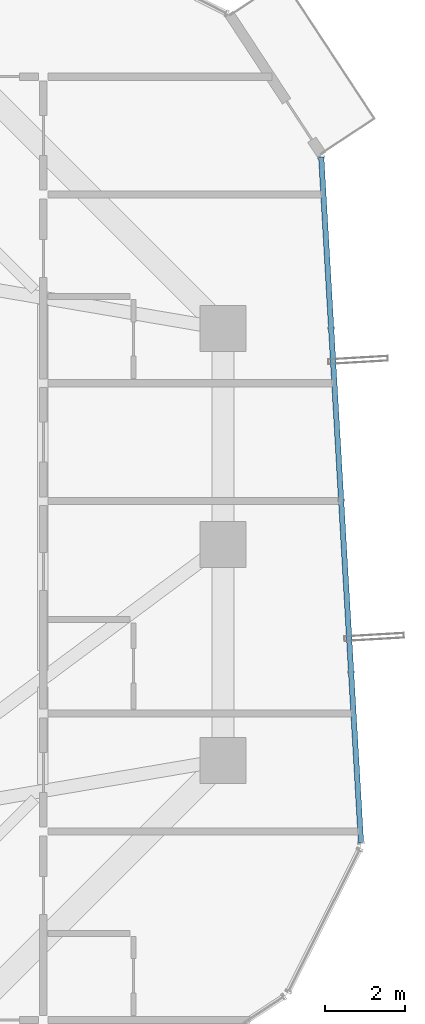
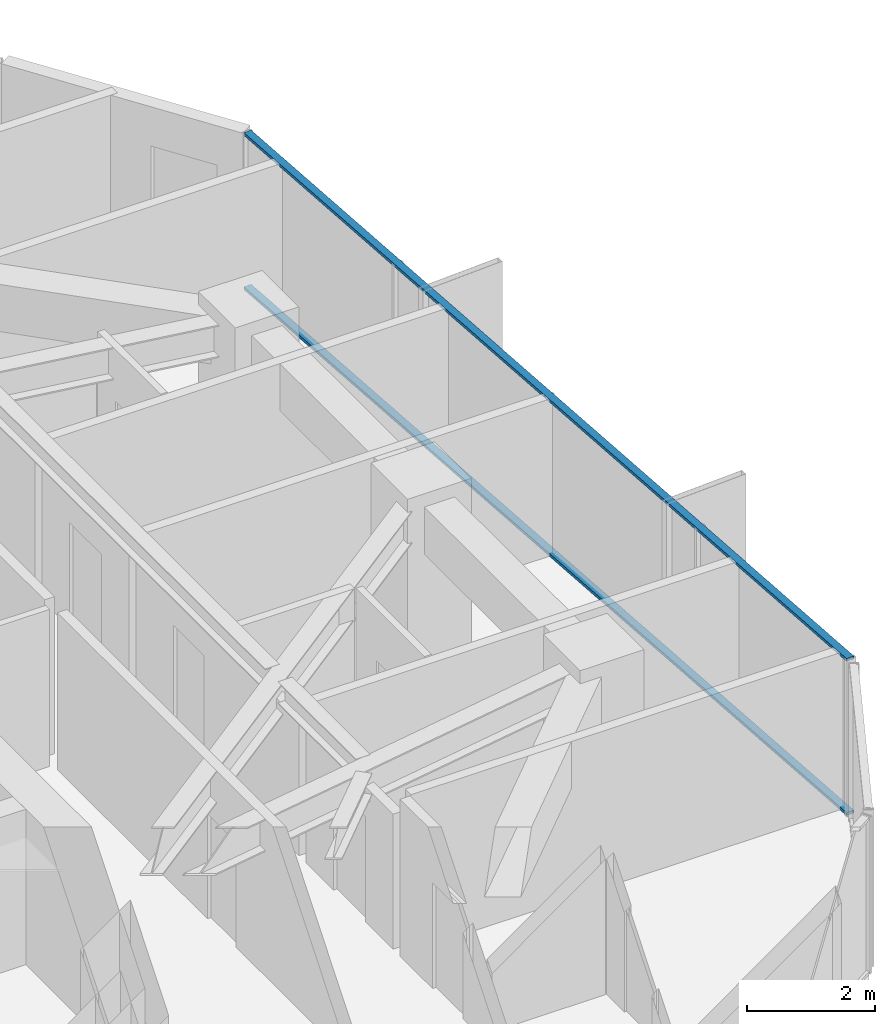
# One storey, part 16 of 33: 2 members, 1 element without a shape of its own.
"""IFC4 building model written with IfcOpenShell, lengths in metres."""

import ifcopenshell
import ifcopenshell.guid

model = None  # the IFC model being written
_history = None  # IfcOwnerHistory: only IFC2X3 demands one
_inside = {}  # id of a spatial element -> (the spatial element, [elements in it])
_under = {}  # id of a project, library or spatial element -> (it, [spatial elements below it])
_declared = {}  # id of a project -> (the project, [libraries it declares])
_typed = {}  # id of a type object -> (the type object, [elements of that type])
_made_of = {}  # id of a material, layer set ... -> (it, [elements and type objects made of it])


def new_model(schema):
    """Start an empty IFC model of exactly this schema.

    Asked for "IFC4X3", IfcOpenShell would pick the latest addendum, in which some entities
    have other attributes; the version numbers below select the first issue.
    IFC2X3 requires an IfcOwnerHistory on every rooted entity: one is made here for all.
    """
    global model, _history
    if schema == "IFC4X3":
        model = ifcopenshell.file(schema_version=(4, 3, 0, 0))
    else:
        model = ifcopenshell.file(schema=schema)
    _inside.clear()
    _under.clear()
    _declared.clear()
    _typed.clear()
    _made_of.clear()
    _history = None
    if model.schema == "IFC2X3":
        org = make("IfcOrganization", Name="unknown")
        user = make(
            "IfcPersonAndOrganization",
            ThePerson=make("IfcPerson", FamilyName="unknown"),
            TheOrganization=org,
        )
        app = make(
            "IfcApplication",
            ApplicationDeveloper=org,
            Version="unknown",
            ApplicationFullName="unknown",
            ApplicationIdentifier="unknown",
        )
        _history = make(
            "IfcOwnerHistory",
            OwningUser=user,
            OwningApplication=app,
            ChangeAction="ADDED",
            CreationDate=0,
        )
    return model


def make(cls, **values):
    """One entity of the class cls with the attributes given. An attribute that is None is left unset."""
    return model.create_entity(
        cls, **{name: value for name, value in values.items() if value is not None}
    )


def rooted(cls, **values):
    """An entity with a GlobalId (a new one), such as an element, a storey or a relation."""
    return make(cls, GlobalId=ifcopenshell.guid.new(), OwnerHistory=_history, **values)


def si_unit(unit_type, name, prefix=None):
    """IfcSIUnit, for example si_unit("LENGTHUNIT", "METRE", prefix="MILLI")."""
    return make("IfcSIUnit", UnitType=unit_type, Prefix=prefix, Name=name)


def assignment(units):
    """IfcUnitAssignment: the units of a project."""
    return None if units is None else make("IfcUnitAssignment", Units=units)


def point(xyz):
    """IfcCartesianPoint."""
    return None if xyz is None else make("IfcCartesianPoint", Coordinates=xyz)


def direction(xyz):
    """IfcDirection."""
    return None if xyz is None else make("IfcDirection", DirectionRatios=xyz)


def frame(location, z_axis=None, x_axis=None):
    """IfcAxis2Placement3D, a coordinate frame: its origin and axes. An axis left out is left unset."""
    return make(
        "IfcAxis2Placement3D",
        Location=point(location),
        Axis=direction(z_axis),
        RefDirection=direction(x_axis),
    )


def frame_2d(location, x_axis=None):
    """IfcAxis2Placement2D, a coordinate frame in the plane: its origin and x axis."""
    return make(
        "IfcAxis2Placement2D", Location=point(location), RefDirection=direction(x_axis)
    )


def origin():
    """The frame at (0, 0, 0) with its axes left unset."""
    return frame((0.0, 0.0, 0.0))


def origin_2d():
    """The frame at (0, 0) in the plane with its x axis left unset."""
    return frame_2d((0.0, 0.0))


def place(relative_to, where):
    """IfcLocalPlacement: puts the frame where relative to a parent placement (None: the world)."""
    return make(
        "IfcLocalPlacement", PlacementRelTo=relative_to, RelativePlacement=where
    )


def context(
    kind, dimensions, precision=None, world=None, true_north=None, identifier=None
):
    """IfcGeometricRepresentationContext, for example the 3D "Model" context."""
    return make(
        "IfcGeometricRepresentationContext",
        ContextIdentifier=identifier,
        ContextType=kind,
        CoordinateSpaceDimension=dimensions,
        Precision=precision,
        WorldCoordinateSystem=world,
        TrueNorth=true_north,
    )


def subcontext(parent, identifier, kind, view, scale=None):
    """IfcGeometricRepresentationSubContext, for example "Body" below "Model"."""
    return make(
        "IfcGeometricRepresentationSubContext",
        ContextIdentifier=identifier,
        ContextType=kind,
        ParentContext=parent,
        TargetScale=scale,
        TargetView=view,
    )


def project(units=None, contexts=None):
    """IfcProject with its units and contexts."""
    return rooted(
        "IfcProject",
        Name="project",
        RepresentationContexts=contexts,
        UnitsInContext=assignment(units),
    )


def spatial(cls, under=None, at=None, **own):
    """A site, building, storey or space (cls), placed at a placement, below another one or the project."""
    s = rooted(cls, ObjectPlacement=at, **own)
    if under is not None:
        _under.setdefault(under.id(), (under, []))[1].append(s)
    return s


def profile(cls, at=None, kind="AREA", **sizes):
    """A parametric profile (cls). Its sizes go by their IFC names, for example OverallWidth=200.0."""
    return make(cls, ProfileType=kind, Position=at, **sizes)


def hollow_rectangle(**sizes):
    """IfcRectangleHollowProfileDef."""
    return profile("IfcRectangleHollowProfileDef", **sizes)


def extrude(swept, where, along, depth):
    """IfcExtrudedAreaSolid: the profile swept, set in the frame where, extruded along a direction by depth."""
    return make(
        "IfcExtrudedAreaSolid",
        SweptArea=swept,
        Position=where,
        ExtrudedDirection=direction(along),
        Depth=depth,
    )


def shape(context_of_items, identifier, shape_type, items):
    """IfcShapeRepresentation: the items that make up one representation, for example the "Body"."""
    return make(
        "IfcShapeRepresentation",
        ContextOfItems=context_of_items,
        RepresentationIdentifier=identifier,
        RepresentationType=shape_type,
        Items=items,
    )


def source(mapping_origin, context_of_items, identifier, shape_type, items):
    """IfcRepresentationMap: a shape defined once, which mapped items show again and again."""
    return make(
        "IfcRepresentationMap",
        MappingOrigin=mapping_origin,
        MappedRepresentation=shape(context_of_items, identifier, shape_type, items),
    )


def transform(
    local_origin,
    x_axis=None,
    y_axis=None,
    z_axis=None,
    scale=None,
    scale2=None,
    scale3=None,
    uniform=True,
):
    """IfcCartesianTransformationOperator3D, or its non-uniform kind. x_axis, y_axis, z_axis: its Axis1, 2, 3."""
    if uniform:
        return make(
            "IfcCartesianTransformationOperator3D",
            Axis1=direction(x_axis),
            Axis2=direction(y_axis),
            LocalOrigin=point(local_origin),
            Scale=scale,
            Axis3=direction(z_axis),
        )
    return make(
        "IfcCartesianTransformationOperator3DnonUniform",
        Axis1=direction(x_axis),
        Axis2=direction(y_axis),
        LocalOrigin=point(local_origin),
        Scale=scale,
        Axis3=direction(z_axis),
        Scale2=scale2,
        Scale3=scale3,
    )


def mapped(mapping_source, mapping_target):
    """IfcMappedItem: shows the shape of a source again, moved by a transform."""
    return make(
        "IfcMappedItem", MappingSource=mapping_source, MappingTarget=mapping_target
    )


def material(Name=None, Category=None):
    """IfcMaterial."""
    return make("IfcMaterial", Name=Name, Category=Category)


def layer(
    of_material, thickness, ventilated=None, Name=None, Category=None, Priority=None
):
    """IfcMaterialLayer: one layer of a wall or slab, of a material (None: an air gap)."""
    return make(
        "IfcMaterialLayer",
        Material=of_material,
        LayerThickness=thickness,
        IsVentilated=ventilated,
        Name=Name,
        Category=Category,
        Priority=Priority,
    )


def layer_set(layers, Name=None):
    """IfcMaterialLayerSet."""
    return make("IfcMaterialLayerSet", MaterialLayers=layers, LayerSetName=Name)


def material_profile(
    of_material, cross_section, Name=None, Category=None, Priority=None
):
    """IfcMaterialProfile: a cross section and its material."""
    return make(
        "IfcMaterialProfile",
        Name=Name,
        Material=of_material,
        Profile=cross_section,
        Priority=Priority,
        Category=Category,
    )


def profile_set(profiles, Name=None, composite=None):
    """IfcMaterialProfileSet."""
    return make(
        "IfcMaterialProfileSet",
        Name=Name,
        MaterialProfiles=profiles,
        CompositeProfile=composite,
    )


def made_of(thing, what):
    """Note that an element or type object is made of a material, layer set ...; save() writes the relation."""
    if what is not None:
        _made_of.setdefault(what.id(), (what, []))[1].append(thing)
    return thing


def type_object(cls, material=None, **own):
    """A type object (cls), such as IfcWallType, which elements share."""
    return made_of(rooted(cls, **own), material)


def element(
    cls,
    number,
    at=None,
    inside=None,
    cuts=None,
    type_object=None,
    material=None,
    context=None,
    identifier="Body",
    shape_type=None,
    held_by="IfcProductDefinitionShape",
    body=None,
    shapes=None,
    **own,
):
    """One element of the class cls, such as IfcWall. Its Tag is "e" and its number.

    at: its placement. inside: the storey or other place that contains it. cuts: it is an
    opening in that element (IfcRelVoidsElement). A single representation is given by context,
    identifier, shape_type and body (its items); several are given by shapes. held_by: the class
    of the entity that holds the representations. save() writes the other relations.
    """
    e = rooted(cls, Tag="e%d" % number, ObjectPlacement=at, **own)
    if body is not None:
        shapes = [shape(context, identifier, shape_type, body)]
    if shapes is not None:
        e.Representation = make(held_by, Representations=shapes)
    if inside is not None:
        _inside.setdefault(inside.id(), (inside, []))[1].append(e)
    if cuts is not None:
        rooted(
            "IfcRelVoidsElement", RelatingBuildingElement=cuts, RelatedOpeningElement=e
        )
    if type_object is not None:
        _typed.setdefault(type_object.id(), (type_object, []))[1].append(e)
    return made_of(e, material)


def aggregate(whole, parts):
    """IfcRelAggregates: a whole, such as a stair, and the parts it consists of."""
    return rooted("IfcRelAggregates", RelatingObject=whole, RelatedObjects=parts)


def save(model, path):
    """Write the relations noted so far, then the file.

    IfcRelAggregates (storeys below a building ...), IfcRelContainedInSpatialStructure (elements
    in a storey), IfcRelDefinesByType, IfcRelAssociatesMaterial and IfcRelDeclares: one each for
    every whole, place, type object, material and project.
    """
    for whole, parts in _under.values():
        aggregate(whole, parts)
    for where, things in _inside.values():
        rooted(
            "IfcRelContainedInSpatialStructure",
            RelatedElements=things,
            RelatingStructure=where,
        )
    for kind, things in _typed.values():
        rooted("IfcRelDefinesByType", RelatedObjects=things, RelatingType=kind)
    for what, things in _made_of.values():
        rooted("IfcRelAssociatesMaterial", RelatedObjects=things, RelatingMaterial=what)
    for by, libraries in _declared.values():
        rooted("IfcRelDeclares", RelatingContext=by, RelatedDefinitions=libraries)
    model.write(path)


model = new_model("IFC4")

# Units and contexts
model_context = context("Model", 3, precision=1e-05, world=origin(), true_north=direction((0.0, 1.0)))
body_context = subcontext(model_context, "Body", "Model", "MODEL_VIEW")
ifc_project = project(units=[si_unit("LENGTHUNIT", "METRE"), si_unit("AREAUNIT", "SQUARE_METRE"), si_unit("VOLUMEUNIT", "CUBIC_METRE"), si_unit("PLANEANGLEUNIT", "RADIAN"), si_unit("MASSUNIT", "GRAM", prefix="KILO")], contexts=[model_context])

# Site, building, storey
site_placement = place(None, origin())
site = spatial("IfcSite", under=ifc_project, at=site_placement, CompositionType="ELEMENT")
building_placement = place(site_placement, origin())
building = spatial("IfcBuilding", under=site, at=building_placement, Name="Veraguas Prism Commons", CompositionType="ELEMENT")
storey_placement = place(building_placement, frame((0.0, 0.0, 139.25)))
storey = spatial("IfcBuildingStorey", under=building, at=storey_placement, Name="L39", CompositionType="ELEMENT", Elevation=139.25)

# Curtain wall, members
ifc_material = material(Name="Anodised aluminium EN AW-6063 T6", Category="aluminium")
ifc_layer = layer(ifc_material, 0.169921875, Name="Unitised Flush Curtain Wall Zone 2", Category="aluminium")
ifc_layer_set = layer_set([ifc_layer], Name="Anodised aluminium EN AW-6063 T6")
curtain_wall_type = type_object("IfcCurtainWallType", Name="Unitised Flush Curtain Wall Zone 2", PredefinedType="NOTDEFINED", material=ifc_layer_set)
curtain_wall_placement = place(storey_placement, origin())
curtain_wall = element("IfcCurtainWall", 1, at=curtain_wall_placement, inside=storey, type_object=curtain_wall_type, Name="Tower Facade Curtain Wall L39-F6", PredefinedType="NOTDEFINED")
ifc_material_profile = material_profile(ifc_material, hollow_rectangle(XDim=0.054931640625, YDim=0.135009765625, WallThickness=0.0029296875, at=origin_2d()), Name="AL55X135X3")
ifc_profile_set = profile_set([ifc_material_profile], Name="Anodised aluminium EN AW-6063 T6")
member_type = type_object("IfcMemberType", Name="Curtain Wall Transom Standard AL 55x135x3", PredefinedType="USERDEFINED", material=ifc_profile_set)
shared_shape = source(origin(), body_context, "Body", "SweptSolid", [
    extrude(hollow_rectangle(XDim=0.054931640625, YDim=0.135009765625, WallThickness=0.0029296875, at=origin_2d()), origin(), (0.0, 0.0, 1.0), 17.17431640625),
])
member_1_placement = place(storey_placement, frame((43.6474609375, 16.5380859375, 0.027587890625), z_axis=(-0.057899515861, 0.998322415887, 0.0), x_axis=(0.0, 0.0, 1.0)))
member_1 = element("IfcMember", 2, at=member_1_placement, type_object=member_type, Name="CW-Z2 Transom 1", ObjectType="TRANSOM", PredefinedType="USERDEFINED", context=body_context, shape_type="MappedRepresentation", body=[
    mapped(shared_shape, transform((0.0, 0.0, 0.0), scale=1.0)),
])
member_2_placement = place(storey_placement, frame((43.6474609375, 16.5380859375, 2.972412109375), z_axis=(-0.057899515861, 0.998322415887, 0.0), x_axis=(0.0, 0.0, 1.0)))
member_2 = element("IfcMember", 3, at=member_2_placement, type_object=member_type, Name="CW-Z2 Transom 2", ObjectType="TRANSOM", PredefinedType="USERDEFINED", context=body_context, shape_type="MappedRepresentation", body=[
    mapped(shared_shape, transform((0.0, 0.0, 0.0), scale=1.0)),
])
aggregate(curtain_wall, [member_1, member_2])

save(model, "model.ifc")
